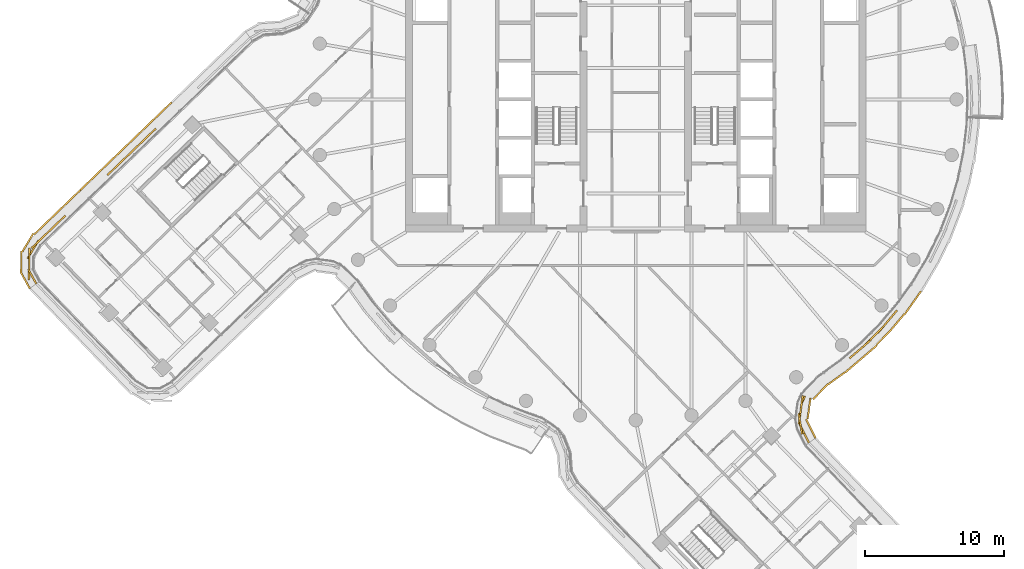
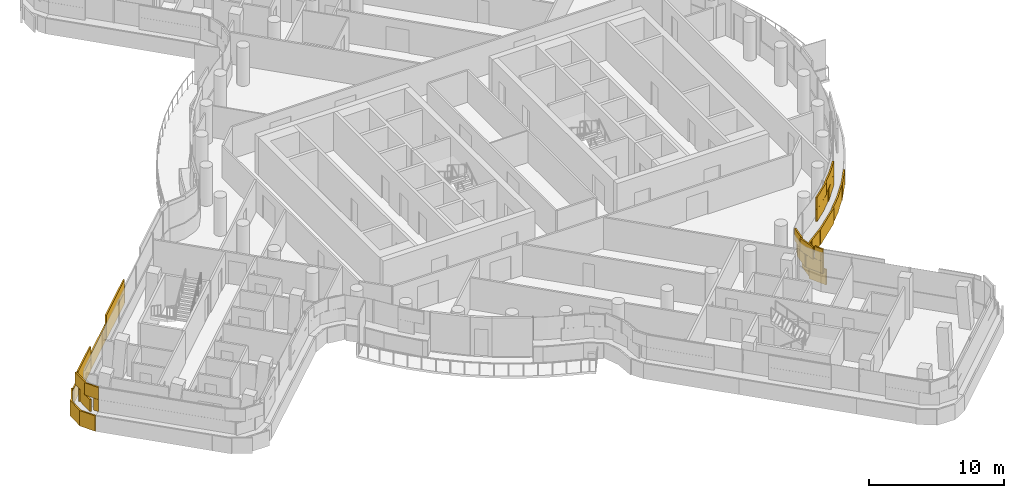
# One storey, part 29 of 34: 3 coverings.
"""IFC4 building model written with IfcOpenShell, lengths in metres."""

from ifc_helpers import new_model, si_unit, direction, frame, origin, origin_2d, place, context, subcontext, project, spatial, rectangle, extrude, material, layer, layer_set, type_object, element, save


model = new_model("IFC4")

# Units and contexts
model_context = context("Model", 3, precision=1e-05, world=origin(), true_north=direction((0.0, 1.0)))
body_context = subcontext(model_context, "Body", "Model", "MODEL_VIEW")
ifc_project = project(units=[si_unit("LENGTHUNIT", "METRE"), si_unit("AREAUNIT", "SQUARE_METRE"), si_unit("VOLUMEUNIT", "CUBIC_METRE"), si_unit("PLANEANGLEUNIT", "RADIAN"), si_unit("MASSUNIT", "GRAM", prefix="KILO")], contexts=[model_context])

# Site, building, storey
site_placement = place(None, origin())
site = spatial("IfcSite", under=ifc_project, at=site_placement, CompositionType="ELEMENT")
building_placement = place(site_placement, origin())
building = spatial("IfcBuilding", under=site, at=building_placement, Name="Tamarind Cross Interchange Tower", CompositionType="ELEMENT")
storey_placement = place(building_placement, frame((0.0, 0.0, 193.300048828125)))
storey = spatial("IfcBuildingStorey", under=building, at=storey_placement, Name="L48", CompositionType="ELEMENT", Elevation=193.300048828125)

# Coverings
ifc_material = material(Name="Terracotta", Category="masonry")
ifc_layer = layer(ifc_material, 0.1201171875)
ifc_layer_set = layer_set([ifc_layer], Name="Terracotta")
covering_type = type_object("IfcCoveringType", Name="Terracotta baguette screen unit", PredefinedType="MOLDING", material=ifc_layer_set)
covering_1_placement = place(storey_placement, origin())
element("IfcCovering", 1, at=covering_1_placement, inside=storey, type_object=covering_type, Name="SCR-L48-06-00", PredefinedType="MOLDING", context=body_context, shape_type="SweptSolid", body=[
    extrude(rectangle(XDim=1.510009765625, YDim=0.1201171875, at=origin_2d()), frame((12.077880859375, -23.94677734375, 1.40380859375), z_axis=(0.0, 0.0, 1.0), x_axis=(-0.449312433431, 0.893374690242, 0.0)), (0.0, 0.0, 1.0), 1.092041015625),
    extrude(rectangle(XDim=1.52001953125, YDim=0.1201171875, at=origin_2d()), frame((11.797119140625, -22.51611328125, 1.40380859375), z_axis=(0.0, 0.0, 1.0), x_axis=(0.133371517322, 0.991066112006, 0.0)), (0.0, 0.0, 1.0), 1.092041015625),
    extrude(rectangle(XDim=0.56640625, YDim=0.1201171875, at=origin_2d()), frame((12.0185546875, -21.521484375, 1.40380859375), z_axis=(0.0, 0.0, 1.0), x_axis=(0.420188426488, 0.907436877279, 0.0)), (0.0, 0.0, 1.0), 1.092041015625),
    extrude(rectangle(XDim=1.253662109375, YDim=0.1201171875, at=origin_2d()), frame((15.799560546875, -18.154052734375, 1.40380859375), z_axis=(0.0, 0.0, 1.0), x_axis=(0.760295606781, 0.64957723968, 0.0)), (0.0, 0.0, 1.0), 1.092041015625),
    extrude(rectangle(XDim=1.52001953125, YDim=0.1201171875, at=origin_2d()), frame((16.80908203125, -17.226806640625, 1.40380859375), z_axis=(0.0, 0.0, 1.0), x_axis=(0.704057148523, 0.710143317658, 0.0)), (0.0, 0.0, 1.0), 1.092041015625),
    extrude(rectangle(XDim=1.52001953125, YDim=0.1201171875, at=origin_2d()), frame((17.858642578125, -16.15576171875, 1.40380859375), z_axis=(0.0, 0.0, 1.0), x_axis=(0.643009266048, 0.765858396687, 0.0)), (0.0, 0.0, 1.0), 1.092041015625),
    extrude(rectangle(XDim=0.6005859375, YDim=0.1201171875, at=origin_2d()), frame((18.53076171875, -15.355224609375, 1.40380859375), z_axis=(0.0, 0.0, 1.0), x_axis=(0.643009266048, 0.765858396687, 0.0)), (0.0, 0.0, 1.0), 1.092041015625),
    extrude(rectangle(XDim=0.760009765625, YDim=0.1201171875, at=origin_2d()), frame((12.246337890625, -24.281982421875, 2.50390625), z_axis=(0.0, 0.0, 1.0), x_axis=(-0.449312433431, 0.893374690242, 0.0)), (0.0, 0.0, 1.0), 1.092041015625),
    extrude(rectangle(XDim=1.52001953125, YDim=0.1201171875, at=origin_2d()), frame((11.799560546875, -23.257568359375, 2.50390625), z_axis=(0.0, 0.0, 1.0), x_axis=(-0.165349838501, 0.986234977532, 0.0)), (0.0, 0.0, 1.0), 1.092041015625),
    extrude(rectangle(XDim=1.31640625, YDim=0.1201171875, at=origin_2d()), frame((11.88427734375, -21.86865234375, 2.50390625), z_axis=(0.0, 0.0, 1.0), x_axis=(0.133371517322, 0.991066112006, 0.0)), (0.0, 0.0, 1.0), 1.092041015625),
    extrude(rectangle(XDim=0.503662109375, YDim=0.1201171875, at=origin_2d()), frame((15.514404296875, -18.397705078125, 2.50390625), z_axis=(0.0, 0.0, 1.0), x_axis=(0.760295606781, 0.64957723968, 0.0)), (0.0, 0.0, 1.0), 1.092041015625),
    extrude(rectangle(XDim=1.52001953125, YDim=0.1201171875, at=origin_2d()), frame((16.272216796875, -17.75, 2.50390625), z_axis=(0.0, 0.0, 1.0), x_axis=(0.760295606781, 0.64957723968, 0.0)), (0.0, 0.0, 1.0), 1.092041015625),
    extrude(rectangle(XDim=1.52001953125, YDim=0.1201171875, at=origin_2d()), frame((17.337158203125, -16.694091796875, 2.50390625), z_axis=(0.0, 0.0, 1.0), x_axis=(0.704057148523, 0.710143317658, 0.0)), (0.0, 0.0, 1.0), 1.092041015625),
    extrude(rectangle(XDim=1.3505859375, YDim=0.1201171875, at=origin_2d()), frame((18.289794921875, -15.642333984375, 2.50390625), z_axis=(0.0, 0.0, 1.0), x_axis=(0.643009266048, 0.765858396687, 0.0)), (0.0, 0.0, 1.0), 1.092041015625),
    extrude(rectangle(XDim=1.510009765625, YDim=0.1201171875, at=origin_2d()), frame((12.550048828125, -23.608154296875, 0.00390625), z_axis=(0.0, 0.0, 1.0), x_axis=(-0.449312433431, 0.893374690242, 0.0)), (0.0, 0.0, 1.0), 1.39208984375),
    extrude(rectangle(XDim=1.52001953125, YDim=0.1201171875, at=origin_2d()), frame((12.423828125, -22.1640625, 0.00390625), z_axis=(0.0, 0.0, 1.0), x_axis=(0.133371517322, 0.991066112006, 0.0)), (0.0, 0.0, 1.0), 1.39208984375),
    extrude(rectangle(XDim=1.52001953125, YDim=0.1201171875, at=origin_2d()), frame((13.2431640625, -20.956298828125, 0.00390625), z_axis=(0.0, 0.0, 1.0), x_axis=(0.693084454304, 0.720856392912, 0.0)), (0.0, 0.0, 1.0), 1.39208984375),
    extrude(rectangle(XDim=1.52001953125, YDim=0.1201171875, at=origin_2d()), frame((14.39111328125, -20.0, 0.00390625), z_axis=(0.0, 0.0, 1.0), x_axis=(0.811340475102, 0.584573890505, 0.0)), (0.0, 0.0, 1.0), 1.39208984375),
    extrude(rectangle(XDim=1.52001953125, YDim=0.1201171875, at=origin_2d()), frame((15.58447265625, -19.0927734375, 0.00390625), z_axis=(0.0, 0.0, 1.0), x_axis=(0.760295606781, 0.64957723968, 0.0)), (0.0, 0.0, 1.0), 1.39208984375),
    extrude(rectangle(XDim=1.52001953125, YDim=0.1201171875, at=origin_2d()), frame((16.724853515625, -18.118408203125, 0.00390625), z_axis=(0.0, 0.0, 1.0), x_axis=(0.760295606781, 0.64957723968, 0.0)), (0.0, 0.0, 1.0), 1.39208984375),
    extrude(rectangle(XDim=1.52001953125, YDim=0.1201171875, at=origin_2d()), frame((17.78515625, -17.0576171875, 0.00390625), z_axis=(0.0, 0.0, 1.0), x_axis=(0.704057148523, 0.710143317658, 0.0)), (0.0, 0.0, 1.0), 1.39208984375),
    extrude(rectangle(XDim=1.52001953125, YDim=0.1201171875, at=origin_2d()), frame((18.786865234375, -15.94287109375, 0.00390625), z_axis=(0.0, 0.0, 1.0), x_axis=(0.643009266048, 0.765858396687, 0.0)), (0.0, 0.0, 1.0), 1.39208984375),
    extrude(rectangle(XDim=1.52001953125, YDim=0.1201171875, at=origin_2d()), frame((19.728271484375, -14.7763671875, 0.00390625), z_axis=(0.0, 0.0, 1.0), x_axis=(0.577568978284, 0.816341886298, 0.0)), (0.0, 0.0, 1.0), 1.39208984375),
    extrude(rectangle(XDim=0.501708984375, YDim=0.1201171875, at=origin_2d()), frame((20.300537109375, -13.967529296875, 0.00390625), z_axis=(0.0, 0.0, 1.0), x_axis=(0.577568978284, 0.816341886298, 0.0)), (0.0, 0.0, 1.0), 1.39208984375),
])
covering_2_placement = place(storey_placement, origin())
element("IfcCovering", 2, at=covering_2_placement, inside=storey, type_object=covering_type, Name="SCR-L48-11-01", PredefinedType="MOLDING", context=body_context, shape_type="SweptSolid", body=[
    extrude(rectangle(XDim=1.121826171875, YDim=0.1201171875, at=origin_2d()), frame((-34.808837890625, -2.481689453125, 1.40380859375), z_axis=(0.0, 0.0, 1.0), x_axis=(-0.720773753988, -0.69317039432, 0.0)), (0.0, 0.0, 1.0), 1.092041015625),
    extrude(rectangle(XDim=1.52001953125, YDim=0.1201171875, at=origin_2d()), frame((-35.75, -3.386962890625, 1.40380859375), z_axis=(0.0, 0.0, 1.0), x_axis=(-0.720773753988, -0.69317039432, 0.0)), (0.0, 0.0, 1.0), 1.092041015625),
    extrude(rectangle(XDim=1.52001953125, YDim=0.1201171875, at=origin_2d()), frame((-36.831298828125, -4.426513671875, 1.40380859375), z_axis=(0.0, 0.0, 1.0), x_axis=(-0.720773753988, -0.69317039432, 0.0)), (0.0, 0.0, 1.0), 1.092041015625),
    extrude(rectangle(XDim=0.7080078125, YDim=0.1201171875, at=origin_2d()), frame((-37.62353515625, -5.1884765625, 1.40380859375), z_axis=(0.0, 0.0, 1.0), x_axis=(-0.720773753988, -0.69317039432, 0.0)), (0.0, 0.0, 1.0), 1.092041015625),
    extrude(rectangle(XDim=0.371826171875, YDim=0.1201171875, at=origin_2d()), frame((-34.53857421875, -2.2216796875, 2.50390625), z_axis=(0.0, 0.0, 1.0), x_axis=(-0.720773753988, -0.69317039432, 0.0)), (0.0, 0.0, 1.0), 1.092041015625),
    extrude(rectangle(XDim=1.52001953125, YDim=0.1201171875, at=origin_2d()), frame((-35.20947265625, -2.866943359375, 2.50390625), z_axis=(0.0, 0.0, 1.0), x_axis=(-0.720773753988, -0.69317039432, 0.0)), (0.0, 0.0, 1.0), 1.092041015625),
    extrude(rectangle(XDim=1.52001953125, YDim=0.1201171875, at=origin_2d()), frame((-36.290771484375, -3.90673828125, 2.50390625), z_axis=(0.0, 0.0, 1.0), x_axis=(-0.720773753988, -0.69317039432, 0.0)), (0.0, 0.0, 1.0), 1.092041015625),
    extrude(rectangle(XDim=1.4580078125, YDim=0.1201171875, at=origin_2d()), frame((-37.35302734375, -4.928466796875, 2.50390625), z_axis=(0.0, 0.0, 1.0), x_axis=(-0.720773753988, -0.69317039432, 0.0)), (0.0, 0.0, 1.0), 1.092041015625),
    extrude(rectangle(XDim=0.1708984375, YDim=0.1201171875, at=origin_2d()), frame((-33.33837890625, -0.271240234375, 0.00390625), z_axis=(0.0, 0.0, 1.0), x_axis=(-0.720773753988, -0.69317039432, 0.0)), (0.0, 0.0, 1.0), 1.39208984375),
    extrude(rectangle(XDim=1.52001953125, YDim=0.1201171875, at=origin_2d()), frame((-33.933349609375, -0.843505859375, 0.00390625), z_axis=(0.0, 0.0, 1.0), x_axis=(-0.720773753988, -0.69317039432, 0.0)), (0.0, 0.0, 1.0), 1.39208984375),
    extrude(rectangle(XDim=1.52001953125, YDim=0.1201171875, at=origin_2d()), frame((-35.0146484375, -1.883056640625, 0.00390625), z_axis=(0.0, 0.0, 1.0), x_axis=(-0.720773753988, -0.69317039432, 0.0)), (0.0, 0.0, 1.0), 1.39208984375),
    extrude(rectangle(XDim=1.52001953125, YDim=0.1201171875, at=origin_2d()), frame((-36.095703125, -2.9228515625, 0.00390625), z_axis=(0.0, 0.0, 1.0), x_axis=(-0.720773753988, -0.69317039432, 0.0)), (0.0, 0.0, 1.0), 1.39208984375),
    extrude(rectangle(XDim=1.52001953125, YDim=0.1201171875, at=origin_2d()), frame((-37.177001953125, -3.962646484375, 0.00390625), z_axis=(0.0, 0.0, 1.0), x_axis=(-0.720773753988, -0.69317039432, 0.0)), (0.0, 0.0, 1.0), 1.39208984375),
    extrude(rectangle(XDim=1.52001953125, YDim=0.1201171875, at=origin_2d()), frame((-38.258056640625, -5.00244140625, 0.00390625), z_axis=(0.0, 0.0, 1.0), x_axis=(-0.720773753988, -0.69317039432, 0.0)), (0.0, 0.0, 1.0), 1.39208984375),
    extrude(rectangle(XDim=1.421875, YDim=0.1201171875, at=origin_2d()), frame((-39.303955078125, -6.008056640625, 0.00390625), z_axis=(0.0, 0.0, 1.0), x_axis=(-0.720773753988, -0.69317039432, 0.0)), (0.0, 0.0, 1.0), 1.39208984375),
])
covering_3_placement = place(storey_placement, origin())
element("IfcCovering", 3, at=covering_3_placement, inside=storey, type_object=covering_type, Name="SCR-L48-11-02", PredefinedType="MOLDING", context=body_context, shape_type="SweptSolid", body=[
    extrude(rectangle(XDim=1.112060546875, YDim=0.1201171875, at=origin_2d()), frame((-41.29931640625, -8.7236328125, 1.40380859375), z_axis=(0.0, 0.0, 1.0), x_axis=(-0.720773753988, -0.69317039432, 0.0)), (0.0, 0.0, 1.0), 1.092041015625),
    extrude(rectangle(XDim=1.52001953125, YDim=0.1201171875, at=origin_2d()), frame((-42.237060546875, -9.62548828125, 1.40380859375), z_axis=(0.0, 0.0, 1.0), x_axis=(-0.720773753988, -0.69317039432, 0.0)), (0.0, 0.0, 1.0), 1.092041015625),
    extrude(rectangle(XDim=1.52001953125, YDim=0.1201171875, at=origin_2d()), frame((-43.20458984375, -10.755859375, 1.40380859375), z_axis=(0.0, 0.0, 1.0), x_axis=(-0.516808284337, -0.856101160635, 0.0)), (0.0, 0.0, 1.0), 1.092041015625),
    extrude(rectangle(XDim=1.52001953125, YDim=0.1201171875, at=origin_2d()), frame((-43.48974609375, -12.181640625, 1.40380859375), z_axis=(0.0, 0.0, 1.0), x_axis=(-0.019518522804, -0.999809495488, 0.0)), (0.0, 0.0, 1.0), 1.092041015625),
    extrude(rectangle(XDim=0.428955078125, YDim=0.1201171875, at=origin_2d()), frame((-43.075439453125, -13.033935546875, 1.40380859375), z_axis=(0.0, 0.0, 1.0), x_axis=(0.483001211151, -0.875619683439, 0.0)), (0.0, 0.0, 1.0), 1.092041015625),
    extrude(rectangle(XDim=0.362060546875, YDim=0.1201171875, at=origin_2d()), frame((-41.029052734375, -8.463623046875, 2.50390625), z_axis=(0.0, 0.0, 1.0), x_axis=(-0.720773753988, -0.69317039432, 0.0)), (0.0, 0.0, 1.0), 1.092041015625),
    extrude(rectangle(XDim=1.52001953125, YDim=0.1201171875, at=origin_2d()), frame((-41.696533203125, -9.10546875, 2.50390625), z_axis=(0.0, 0.0, 1.0), x_axis=(-0.720773753988, -0.69317039432, 0.0)), (0.0, 0.0, 1.0), 1.092041015625),
    extrude(rectangle(XDim=1.52001953125, YDim=0.1201171875, at=origin_2d()), frame((-42.777587890625, -10.145263671875, 2.50390625), z_axis=(0.0, 0.0, 1.0), x_axis=(-0.720773753988, -0.69317039432, 0.0)), (0.0, 0.0, 1.0), 1.092041015625),
    extrude(rectangle(XDim=1.52001953125, YDim=0.1201171875, at=origin_2d()), frame((-43.47509765625, -11.431884765625, 2.50390625), z_axis=(0.0, 0.0, 1.0), x_axis=(-0.019518522804, -0.999809495488, 0.0)), (0.0, 0.0, 1.0), 1.092041015625),
    extrude(rectangle(XDim=1.178955078125, YDim=0.1201171875, at=origin_2d()), frame((-43.256591796875, -12.70556640625, 2.50390625), z_axis=(0.0, 0.0, 1.0), x_axis=(0.483001211151, -0.875619683439, 0.0)), (0.0, 0.0, 1.0), 1.092041015625),
    extrude(rectangle(XDim=0.09814453125, YDim=0.1201171875, at=origin_2d()), frame((-39.8515625, -6.534912109375, 0.00390625), z_axis=(0.0, 0.0, 1.0), x_axis=(-0.720773753988, -0.69317039432, 0.0)), (0.0, 0.0, 1.0), 1.39208984375),
    extrude(rectangle(XDim=1.52001953125, YDim=0.1201171875, at=origin_2d()), frame((-40.42041015625, -7.08203125, 0.00390625), z_axis=(0.0, 0.0, 1.0), x_axis=(-0.720773753988, -0.69317039432, 0.0)), (0.0, 0.0, 1.0), 1.39208984375),
    extrude(rectangle(XDim=1.52001953125, YDim=0.1201171875, at=origin_2d()), frame((-41.50146484375, -8.12158203125, 0.00390625), z_axis=(0.0, 0.0, 1.0), x_axis=(-0.720773753988, -0.69317039432, 0.0)), (0.0, 0.0, 1.0), 1.39208984375),
    extrude(rectangle(XDim=1.52001953125, YDim=0.1201171875, at=origin_2d()), frame((-42.582763671875, -9.161376953125, 0.00390625), z_axis=(0.0, 0.0, 1.0), x_axis=(-0.720773753988, -0.69317039432, 0.0)), (0.0, 0.0, 1.0), 1.39208984375),
    extrude(rectangle(XDim=1.52001953125, YDim=0.1201171875, at=origin_2d()), frame((-43.58056640625, -10.267822265625, 0.00390625), z_axis=(0.0, 0.0, 1.0), x_axis=(-0.516808284337, -0.856101160635, 0.0)), (0.0, 0.0, 1.0), 1.39208984375),
    extrude(rectangle(XDim=1.52001953125, YDim=0.1201171875, at=origin_2d()), frame((-44.05322265625, -11.639404296875, 0.00390625), z_axis=(0.0, 0.0, 1.0), x_axis=(-0.019518522804, -0.999809495488, 0.0)), (0.0, 0.0, 1.0), 1.39208984375),
    extrude(rectangle(XDim=1.343505859375, YDim=0.1201171875, at=origin_2d()), frame((-43.7646484375, -12.97265625, 0.00390625), z_axis=(0.0, 0.0, 1.0), x_axis=(0.483001211151, -0.875619683439, 0.0)), (0.0, 0.0, 1.0), 1.39208984375),
])

save(model, "model.ifc")
